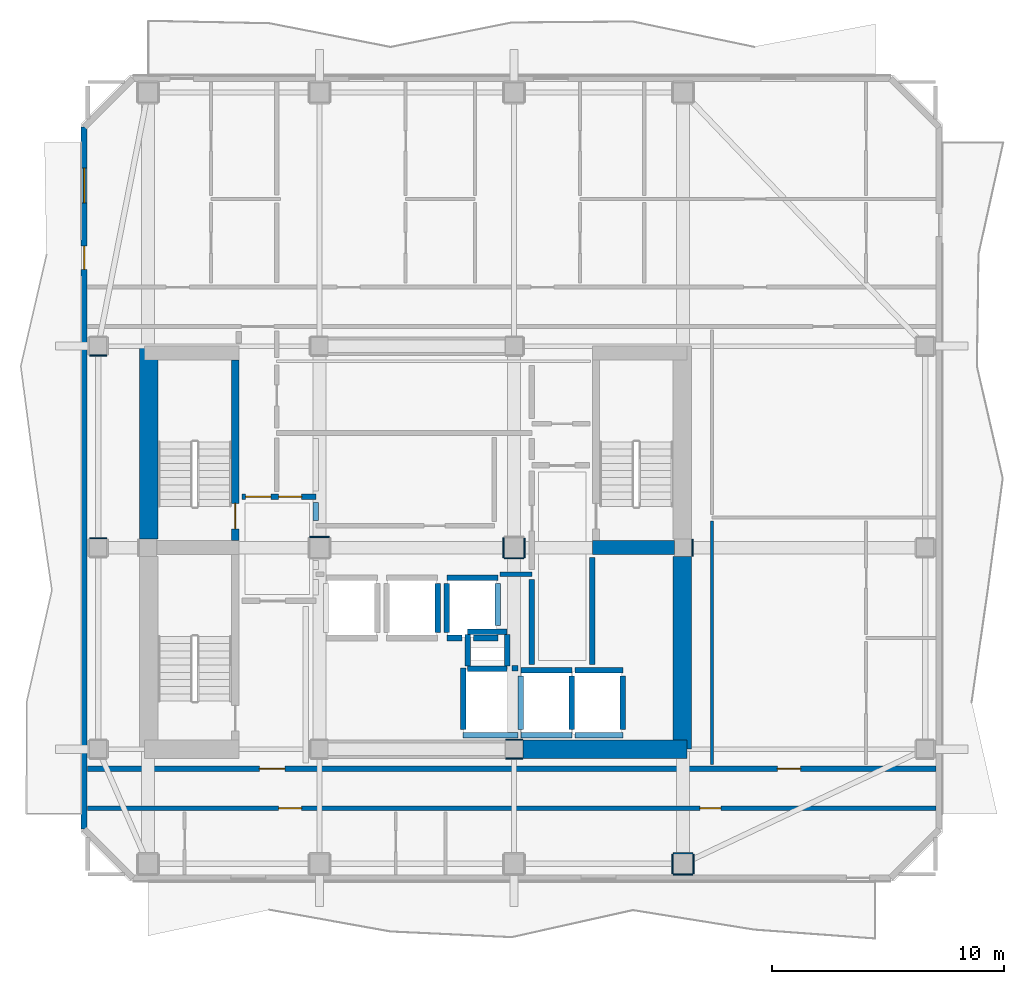
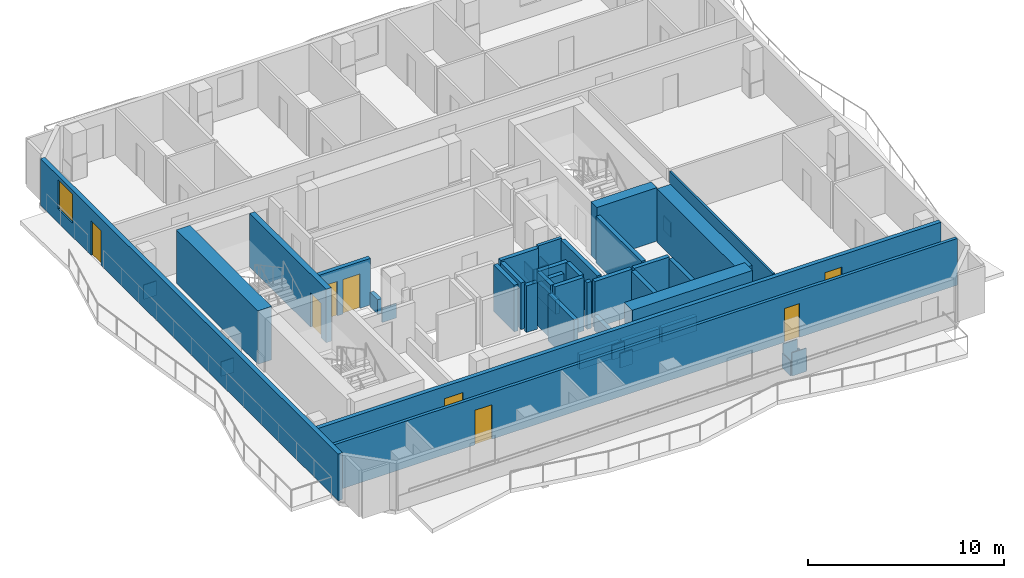
# One storey, part 3 of 9: 47 walls, 8 doors, 1 window, 9 openings.
"""IFC4 building model written with IfcOpenShell, lengths in metres."""

from ifc_helpers import new_model, si_unit, direction, frame, frame_2d, origin, place, context, subcontext, project, spatial, rectangle, extrude, material, layer, layer_set, type_object, element, fill, save


model = new_model("IFC4")

# Units and contexts
model_context = context("Model", 3, precision=1e-05, world=origin(), true_north=direction((0.0, 1.0)))
body_context = subcontext(model_context, "Body", "Model", "MODEL_VIEW")
ifc_project = project(units=[si_unit("LENGTHUNIT", "METRE"), si_unit("AREAUNIT", "SQUARE_METRE"), si_unit("VOLUMEUNIT", "CUBIC_METRE"), si_unit("PLANEANGLEUNIT", "RADIAN"), si_unit("MASSUNIT", "GRAM", prefix="KILO")], contexts=[model_context])

# Site, building, storey
site_placement = place(None, origin())
site = spatial("IfcSite", under=ifc_project, at=site_placement, CompositionType="ELEMENT")
building_placement = place(site_placement, origin())
building = spatial("IfcBuilding", under=site, at=building_placement, Name="Solanera Arch Residences", CompositionType="ELEMENT")
storey_placement = place(building_placement, frame((0.0, 0.0, 247.8798828125)))
storey = spatial("IfcBuildingStorey", under=building, at=storey_placement, Name="L72", CompositionType="ELEMENT", Elevation=247.8798828125)

# Walls
ifc_material_1 = material(Name="Fire-Rated Gypsum Stud Partition", Category="gypsum")
ifc_layer_1 = layer(ifc_material_1, 0.06005859375)
ifc_layer_set_1 = layer_set([ifc_layer_1], Name="Fire-Rated Gypsum Stud Partition")
wall_type_1 = type_object("IfcWallType", Name="Column Acoustic Furring Wall 60", PredefinedType="PARTITIONING", material=ifc_layer_set_1)
for number, where, z_axis, x_axis, name in (
    (1, (28.8330078125, 21.593017578125, 0.0), (0.0, 0.0, 1.0), (1.0, 0.0, 0.0), "L72 Column Furring 2S"),
    (2, (28.8330078125, 22.406982421875, 0.0), (0.0, 0.0, 1.0), (1.0, 0.0, 0.0), "L72 Column Furring 2N"),
):
    element("IfcWall", number, at=place(storey_placement, frame(where, z_axis=z_axis, x_axis=x_axis)), inside=storey, type_object=wall_type_1, Name=name, PredefinedType="PARTITIONING", context=body_context, shape_type="SweptSolid", body=[
        extrude(rectangle(XDim=0.73388671875, YDim=0.06005859375, at=frame_2d((0.366943359375, 0.0))), origin(), (0.0, 0.0, 1.0), 0.905029296875),
    ])
wall_1_placement = place(storey_placement, frame((36.906982421875, 30.324951171875, 0.0), z_axis=(0.0, 0.0, 1.0), x_axis=(0.0, 1.0, 0.0)))
element("IfcWall", 3, at=wall_1_placement, inside=storey, type_object=wall_type_1, Name="L72 Column Furring 6E", PredefinedType="PARTITIONING", context=body_context, shape_type="SweptSolid", body=[
    extrude(rectangle(XDim=0.75, YDim=0.06005859375, at=frame_2d((0.375, 0.0))), origin(), (0.0, 0.0, 1.0), 0.905029296875),
])
for number, where, z_axis, x_axis, name in (
    (4, (20.375, 31.156982421875, 0.0), (0.0, 0.0, 1.0), (1.0, 0.0, 0.0), "L72 Column Furring 7N"),
    (5, (28.77490234375, 30.242919921875, 0.0), (0.0, 0.0, 1.0), (1.0, 0.0, 0.0), "L72 Column Furring 8S"),
    (6, (28.742919921875, 30.27490234375, 0.0), (0.0, 0.0, 1.0), (0.0, 1.0, 0.0), "L72 Column Furring 8W"),
):
    element("IfcWall", number, at=place(storey_placement, frame(where, z_axis=z_axis, x_axis=x_axis)), inside=storey, type_object=wall_type_1, Name=name, PredefinedType="PARTITIONING", context=body_context, shape_type="SweptSolid", body=[
        extrude(rectangle(XDim=0.85009765625, YDim=0.06005859375, at=frame_2d((0.425048828125, 0.0))), origin(), (0.0, 0.0, 1.0), 0.905029296875),
    ])
wall_2_placement = place(storey_placement, frame((29.656982421875, 30.27490234375, 0.0), z_axis=(0.0, 0.0, 1.0), x_axis=(0.0, 1.0, 0.0)))
element("IfcWall", 7, at=wall_2_placement, inside=storey, type_object=wall_type_1, Name="L72 Column Furring 8E", PredefinedType="PARTITIONING", context=body_context, shape_type="SweptSolid", body=[
    extrude(rectangle(XDim=0.837158203125, YDim=0.06005859375, at=frame_2d((0.41845703125, 0.0))), origin(), (0.0, 0.0, 1.0), 0.905029296875),
])
for number, where, z_axis, x_axis, name in (
    (8, (36.074951171875, 16.593017578125, 0.0), (0.0, 0.0, 1.0), (1.0, 0.0, 0.0), "L72 Column Furring 15S"),
    (9, (36.074951171875, 17.507080078125, 0.0), (0.0, 0.0, 1.0), (1.0, 0.0, 0.0), "L72 Column Furring 15N"),
):
    element("IfcWall", number, at=place(storey_placement, frame(where, z_axis=z_axis, x_axis=x_axis)), inside=storey, type_object=wall_type_1, Name=name, PredefinedType="PARTITIONING", context=body_context, shape_type="SweptSolid", body=[
        extrude(rectangle(XDim=0.85009765625, YDim=0.06005859375, at=frame_2d((0.425048828125, 0.0))), origin(), (0.0, 0.0, 1.0), 1.4501953125),
    ])
for number, where, z_axis, x_axis, name in (
    (10, (36.04296875, 16.625, 0.0), (0.0, 0.0, 1.0), (0.0, 1.0, 0.0), "L72 Column Furring 15W"),
    (11, (36.95703125, 16.625, 0.0), (0.0, 0.0, 1.0), (0.0, 1.0, 0.0), "L72 Column Furring 15E"),
):
    element("IfcWall", number, at=place(storey_placement, frame(where, z_axis=z_axis, x_axis=x_axis)), inside=storey, type_object=wall_type_1, Name=name, PredefinedType="PARTITIONING", context=body_context, shape_type="SweptSolid", body=[
        extrude(rectangle(XDim=0.85009765625, YDim=0.06005859375, at=frame_2d((0.425048828125, 0.0))), origin(), (0.0, 0.0, 1.0), 0.905029296875),
    ])
for number, where, z_axis, x_axis, name in (
    (12, (10.875, 31.10693359375, 0.0), (0.0, 0.0, 1.0), (1.0, 0.0, 0.0), "L72 Column Furring 19N"),
    (13, (10.875, 38.992919921875, 0.0), (0.0, 0.0, 1.0), (1.0, 0.0, 0.0), "L72 Column Furring 21S"),
):
    element("IfcWall", number, at=place(storey_placement, frame(where, z_axis=z_axis, x_axis=x_axis)), inside=storey, type_object=wall_type_1, Name=name, PredefinedType="PARTITIONING", context=body_context, shape_type="SweptSolid", body=[
        extrude(rectangle(XDim=0.75, YDim=0.06005859375, at=frame_2d((0.375, 0.0))), origin(), (0.0, 0.0, 1.0), 0.905029296875),
    ])

# Wall, opening, door
ifc_material_2 = material(Name="Concrete C40/50 (f'c = 45 MPa)", Category="concrete")
ifc_layer_2 = layer(ifc_material_2, 0.320068359375)
ifc_layer_set_2 = layer_set([ifc_layer_2], Name="Concrete C40/50 (f'c = 45 MPa)")
wall_type_2 = type_object("IfcWallType", Name="Core Shear Wall CW-320", PredefinedType="SHEAR", material=ifc_layer_set_2)
wall_3_placement = place(storey_placement, frame((17.159912109375, 31.0, 0.0), z_axis=(0.0, 0.0, 1.0), x_axis=(0.0, 1.0, 0.0)))
wall_3 = element("IfcWall", 14, at=wall_3_placement, inside=storey, type_object=wall_type_2, Name="L72 Stair ST-T1 East Shear Wall", PredefinedType="SHEAR", context=body_context, shape_type="SweptSolid", body=[
    extrude(rectangle(XDim=7.800048828125, YDim=0.320068359375, at=frame_2d((3.89990234375, 0.0))), origin(), (0.0, 0.0, 1.0), 3.320068359375),
])
opening_1_placement = place(wall_3_placement, frame((0.510009765625, 0.0, 0.0)))
opening_1 = element("IfcOpeningElement", 15, at=opening_1_placement, cuts=wall_3, Name="Opening DF-01", PredefinedType="OPENING", context=body_context, shape_type="SweptSolid", body=[
    extrude(rectangle(XDim=1.10009765625, YDim=2.14990234375, at=frame_2d((0.550048828125, 1.074951171875))), frame((0.0, 0.169921875, 0.0), z_axis=(0.0, -1.0, 0.0), x_axis=(1.0, 0.0, 0.0)), (0.0, 0.0, 1.0), 0.3401),
])
ifc_material_3 = material(Name="Fire-Rated Architectural Hardwood", Category="wood")
door_type_1 = type_object("IfcDoorType", Name="Stair Exit Fire Door DF-01", OperationType="NOTDEFINED", PredefinedType="DOOR", material=ifc_material_3)
door_1_placement = place(opening_1_placement, origin())
door_1 = element("IfcDoor", 16, at=door_1_placement, inside=storey, type_object=door_type_1, Name="DR-L72-STAIR-ST-T1", OperationType="SINGLE_SWING_LEFT", OverallHeight=2.14990234375, OverallWidth=1.10009765625, PredefinedType="DOOR", context=body_context, shape_type="SweptSolid", body=[
    extrude(rectangle(XDim=1.10009765625, YDim=2.14990234375, at=frame_2d((0.550048828125, 1.074951171875))), frame((0.0, 0.02490234375, 0.0), z_axis=(0.0, -1.0, 0.0), x_axis=(1.0, 0.0, 0.0)), (0.0, 0.0, 1.0), 0.050048828125),
])
fill(opening_1, door_1)

# Walls
ifc_material_4 = material(Name="Concrete C40/50 (f'c = 45 MPa)", Category="concrete")
ifc_layer_3 = layer(ifc_material_4, 0.60009765625)
ifc_layer_set_3 = layer_set([ifc_layer_3], Name="Concrete C40/50 (f'c = 45 MPa)")
wall_type_3 = type_object("IfcWallType", Name="Core Shear Wall CW-600", PredefinedType="SHEAR", material=ifc_layer_set_3)
wall_4_placement = place(storey_placement, frame((32.580078125, 30.699951171875, 0.0), z_axis=(0.0, 0.0, 1.0), x_axis=(1.0, 0.0, 0.0)))
element("IfcWall", 17, at=wall_4_placement, inside=storey, type_object=wall_type_3, Name="L72 East Stair Far-Landing Shear Wall", PredefinedType="SHEAR", context=body_context, shape_type="SweptSolid", body=[
    extrude(rectangle(XDim=3.5400390625, YDim=0.60009765625, at=frame_2d((1.77001953125, 0.0))), origin(), (0.0, 0.0, 1.0), 3.320068359375),
])
ifc_material_5 = material(Name="Concrete C40/50 (f'c = 45 MPa)", Category="concrete")
ifc_layer_4 = layer(ifc_material_5, 0.800048828125)
ifc_layer_set_4 = layer_set([ifc_layer_4], Name="Concrete C40/50 (f'c = 45 MPa)")
wall_type_4 = type_object("IfcWallType", Name="Core Shear Wall CW-800", PredefinedType="SHEAR", material=ifc_layer_set_4)
wall_5_placement = place(storey_placement, frame((13.43994140625, 31.080078125, 0.0), z_axis=(0.0, 0.0, 1.0), x_axis=(0.0, 1.0, 0.0)))
element("IfcWall", 18, at=wall_5_placement, inside=storey, type_object=wall_type_4, Name="L72 West Core North Shear Wall", PredefinedType="SHEAR", context=body_context, shape_type="SweptSolid", body=[
    extrude(rectangle(XDim=8.31982421875, YDim=0.800048828125, at=frame_2d((4.159912109375, 0.0))), origin(), (0.0, 0.0, 1.0), 3.320068359375),
])
wall_6_placement = place(storey_placement, frame((36.4599609375, 22.0, 0.0), z_axis=(0.0, 0.0, 1.0), x_axis=(0.0, 1.0, 0.0)))
element("IfcWall", 19, at=wall_6_placement, inside=storey, type_object=wall_type_4, Name="L72 East Core South Shear Wall", PredefinedType="SHEAR", context=body_context, shape_type="SweptSolid", body=[
    extrude(rectangle(XDim=8.320068359375, YDim=0.800048828125, at=frame_2d((4.16015625, 0.0))), origin(), (0.0, 0.0, 1.0), 3.320068359375),
])
wall_7_placement = place(storey_placement, frame((29.580078125, 22.0, 0.0), z_axis=(0.0, 0.0, 1.0), x_axis=(1.0, 0.0, 0.0)))
element("IfcWall", 20, at=wall_7_placement, inside=storey, type_object=wall_type_4, Name="L72 South-East Core Shear Wall", PredefinedType="SHEAR", context=body_context, shape_type="SweptSolid", body=[
    extrude(rectangle(XDim=7.079833984375, YDim=0.800048828125, at=frame_2d((3.5400390625, 0.0))), origin(), (0.0, 0.0, 1.0), 3.320068359375),
])

# Wall, openings, doors
ifc_material_6 = material(Name="Autoclaved Aerated Concrete Blockwork", Category="masonry")
ifc_layer_5 = layer(ifc_material_6, 0.179931640625)
ifc_layer_set_5 = layer_set([ifc_layer_5], Name="Autoclaved Aerated Concrete Blockwork")
wall_type_5 = type_object("IfcWallType", Name="Corridor Fire Partition 180", PredefinedType="PARTITIONING", material=ifc_layer_set_5)
wall_8_placement = place(storey_placement, frame((10.787109375, 19.449951171875, 0.0), z_axis=(0.0, 0.0, 1.0), x_axis=(1.0, 0.0, 0.0)))
wall_8 = element("IfcWall", 21, at=wall_8_placement, inside=storey, type_object=wall_type_5, Name="L72 Interior Partition H7", PredefinedType="PARTITIONING", context=body_context, shape_type="SweptSolid", body=[
    extrude(rectangle(XDim=36.6259765625, YDim=0.179931640625, at=frame_2d((18.31298828125, 0.0))), origin(), (0.0, 0.0, 1.0), 2.900146484375),
])
opening_2_placement = place(wall_8_placement, frame((8.2490234375, 0.0, 0.0)))
opening_2 = element("IfcOpeningElement", 22, at=opening_2_placement, cuts=wall_8, Name="Opening DI-01", PredefinedType="OPENING", context=body_context, shape_type="SweptSolid", body=[
    extrude(rectangle(XDim=1.0, YDim=2.14990234375, at=frame_2d((0.5, 1.074951171875))), frame((0.0, 0.10009765625, 0.0), z_axis=(0.0, -1.0, 0.0), x_axis=(1.0, 0.0, 0.0)), (0.0, 0.0, 1.0), 0.1999),
])
opening_3_placement = place(wall_8_placement, frame((26.43896484375, 0.0, 0.0)))
opening_3 = element("IfcOpeningElement", 23, at=opening_3_placement, cuts=wall_8, Name="Opening DI-02", PredefinedType="OPENING", context=body_context, shape_type="SweptSolid", body=[
    extrude(rectangle(XDim=0.89990234375, YDim=2.10009765625, at=frame_2d((0.449951171875, 1.050048828125))), frame((0.0, 0.10009765625, 0.0), z_axis=(0.0, -1.0, 0.0), x_axis=(1.0, 0.0, 0.0)), (0.0, 0.0, 1.0), 0.1999),
])
ifc_material_7 = material(Name="Fire-Rated Architectural Hardwood", Category="wood")
door_type_2 = type_object("IfcDoorType", Name="Suite Room Swing Door DI-02", OperationType="NOTDEFINED", PredefinedType="DOOR", material=ifc_material_7)
door_2_placement = place(opening_3_placement, origin())
door_2 = element("IfcDoor", 24, at=door_2_placement, inside=storey, type_object=door_type_2, Name="DR-L72-IN-017", OperationType="SINGLE_SWING_LEFT", OverallHeight=2.10009765625, OverallWidth=0.89990234375, PredefinedType="DOOR", context=body_context, shape_type="SweptSolid", body=[
    extrude(rectangle(XDim=0.89990234375, YDim=2.10009765625, at=frame_2d((0.449951171875, 1.050048828125))), frame((0.0, 0.02490234375, 0.0), z_axis=(0.0, -1.0, 0.0), x_axis=(1.0, 0.0, 0.0)), (0.0, 0.0, 1.0), 0.050048828125),
])
fill(opening_3, door_2)
ifc_material_8 = material(Name="Fire-Rated Architectural Hardwood", Category="wood")
door_type_3 = type_object("IfcDoorType", Name="Unit Entrance Fire Door DI-01", OperationType="NOTDEFINED", PredefinedType="DOOR", material=ifc_material_8)
door_3_placement = place(opening_2_placement, origin())
door_3 = element("IfcDoor", 25, at=door_3_placement, inside=storey, type_object=door_type_3, Name="DR-L72-IN-014", OperationType="SINGLE_SWING_RIGHT", OverallHeight=2.14990234375, OverallWidth=1.0, PredefinedType="DOOR", context=body_context, shape_type="SweptSolid", body=[
    extrude(rectangle(XDim=1.0, YDim=2.14990234375, at=frame_2d((0.5, 1.074951171875))), frame((0.0, 0.02490234375, 0.0), z_axis=(0.0, -1.0, 0.0), x_axis=(1.0, 0.0, 0.0)), (0.0, 0.0, 1.0), 0.050048828125),
])
fill(opening_2, door_3)

# Wall
wall_9_placement = place(storey_placement, frame((28.593017578125, 29.550048828125, 0.0), z_axis=(0.0, 0.0, 1.0), x_axis=(1.0, 0.0, 0.0)))
element("IfcWall", 26, at=wall_9_placement, inside=storey, type_object=wall_type_5, Name="L72 Interior Partition H8 2", PredefinedType="PARTITIONING", context=body_context, shape_type="SweptSolid", body=[
    extrude(rectangle(XDim=1.382080078125, YDim=0.179931640625, at=frame_2d((0.69091796875, 0.0))), origin(), (0.0, 0.0, 1.0), 2.900146484375),
])

# Wall, openings, door, window
ifc_material_9 = material(Name="Precast Concrete C35/45", Category="concrete")
ifc_layer_6 = layer(ifc_material_9, 0.260009765625)
ifc_layer_set_6 = layer_set([ifc_layer_6], Name="Precast Concrete C35/45")
wall_type_6 = type_object("IfcWallType", Name="Exterior Wall Precast Masonry-Frame 260", PredefinedType="STANDARD", material=ifc_layer_set_6)
wall_10_placement = place(storey_placement, frame((10.64501953125, 18.544921875, 0.0), z_axis=(0.0, 0.0, 1.0), x_axis=(0.0, 1.0, 0.0)))
wall_10 = element("IfcWall", 27, at=wall_10_placement, inside=storey, type_object=wall_type_6, Name="L72 Tower Exterior Precast Masonry-Frame Wall W", PredefinedType="STANDARD", context=body_context, shape_type="SweptSolid", body=[
    extrude(rectangle(XDim=30.31005859375, YDim=0.260009765625, at=frame_2d((15.155029296875, 0.0))), origin(), (0.0, 0.0, 1.0), 2.900146484375),
])
opening_4_placement = place(wall_10_placement, frame((24.1708984375, 0.0, 0.0)))
opening_4 = element("IfcOpeningElement", 28, at=opening_4_placement, cuts=wall_10, Name="Opening DB-01", PredefinedType="OPENING", context=body_context, shape_type="SweptSolid", body=[
    extrude(rectangle(XDim=1.0, YDim=2.14990234375, at=frame_2d((0.5, 1.074951171875))), frame((0.0, 0.139892578125, 0.0), z_axis=(0.0, -1.0, 0.0), x_axis=(1.0, 0.0, 0.0)), (0.0, 0.0, 1.0), 0.28),
])
opening_5_placement = place(wall_10_placement, frame((27.044921875, 0.0, 0.85009765625)))
opening_5 = element("IfcOpeningElement", 29, at=opening_5_placement, cuts=wall_10, Name="Opening W-02", PredefinedType="OPENING", context=body_context, shape_type="SweptSolid", body=[
    extrude(rectangle(XDim=1.5, YDim=1.800048828125, at=frame_2d((0.75, 0.89990234375))), frame((0.0, 0.139892578125, 0.0), z_axis=(0.0, -1.0, 0.0), x_axis=(1.0, 0.0, 0.0)), (0.0, 0.0, 1.0), 0.28),
])
ifc_material_10 = material(Name="Anodised Aluminium Alloy 6063-T6", Category="aluminium")
door_type_4 = type_object("IfcDoorType", Name="Glazed Balcony Swing Door DB-01", OperationType="NOTDEFINED", PredefinedType="DOOR", material=ifc_material_10)
door_4_placement = place(opening_4_placement, origin())
door_4 = element("IfcDoor", 30, at=door_4_placement, inside=storey, type_object=door_type_4, Name="DR-L72-OUT-04", OperationType="SINGLE_SWING_LEFT", OverallHeight=2.14990234375, OverallWidth=1.0, PredefinedType="DOOR", context=body_context, shape_type="SweptSolid", body=[
    extrude(rectangle(XDim=1.0, YDim=2.14990234375, at=frame_2d((0.5, 1.074951171875))), frame((0.0, 0.02490234375, 0.0), z_axis=(0.0, -1.0, 0.0), x_axis=(1.0, 0.0, 0.0)), (0.0, 0.0, 1.0), 0.050048828125),
])
fill(opening_4, door_4)
ifc_material_11 = material(Name="Double Glazed Low-E Laminated Glass", Category="glass")
window_type = type_object("IfcWindowType", Name="Punched Window W-02", PartitioningType="DOUBLE_PANEL_VERTICAL", PredefinedType="WINDOW", material=ifc_material_11)
window_placement = place(opening_5_placement, origin())
window = element("IfcWindow", 31, at=window_placement, inside=storey, type_object=window_type, Name="L72 7202-LIV Punched Window", OverallHeight=1.800048828125, OverallWidth=1.5, PartitioningType="SINGLE_PANEL", PredefinedType="WINDOW", context=body_context, shape_type="SweptSolid", body=[
    extrude(rectangle(XDim=1.5, YDim=1.800048828125, at=frame_2d((0.75, 0.89990234375))), frame((0.0, 0.030029296875, 0.0), z_axis=(0.0, -1.0, 0.0), x_axis=(1.0, 0.0, 0.0)), (0.0, 0.0, 1.0), 0.06005859375),
])
fill(opening_5, window)

# Walls
ifc_material_12 = material(Name="Concrete C40/50 (f'c = 45 MPa)", Category="concrete")
ifc_layer_7 = layer(ifc_material_12, 0.239990234375)
ifc_layer_set_7 = layer_set([ifc_layer_7], Name="Concrete C40/50 (f'c = 45 MPa)")
wall_type_7 = type_object("IfcWallType", Name="Ramp Bearing Shear Wall RW-240", PredefinedType="SHEAR", material=ifc_layer_set_7)
for number, where, z_axis, x_axis, name in (
    (32, (27.199951171875, 25.47998046875, 0.0), (0.0, 0.0, 1.0), (1.0, 0.0, 0.0), "L72 Core MEP Riser South Shaft Wall"),
    (33, (27.199951171875, 27.080078125, 0.0), (0.0, 0.0, 1.0), (1.0, 0.0, 0.0), "L72 Core MEP Riser North Shaft Wall"),
):
    element("IfcWall", number, at=place(storey_placement, frame(where, z_axis=z_axis, x_axis=x_axis)), inside=storey, type_object=wall_type_7, Name=name, PredefinedType="SHEAR", context=body_context, shape_type="SweptSolid", body=[
        extrude(rectangle(XDim=1.699951171875, YDim=0.239990234375, at=frame_2d((0.85009765625, 0.0))), origin(), (0.0, 0.0, 1.0), 3.320068359375),
    ])
for number, where, z_axis, x_axis, name in (
    (34, (27.199951171875, 25.60009765625, 0.0), (0.0, 0.0, 1.0), (0.0, 1.0, 0.0), "L72 Core MEP Riser West Shaft Wall"),
    (35, (28.89990234375, 25.60009765625, 0.0), (0.0, 0.0, 1.0), (0.0, 1.0, 0.0), "L72 Core MEP Riser East Shaft Wall"),
):
    element("IfcWall", number, at=place(storey_placement, frame(where, z_axis=z_axis, x_axis=x_axis)), inside=storey, type_object=wall_type_7, Name=name, PredefinedType="SHEAR", context=body_context, shape_type="SweptSolid", body=[
        extrude(rectangle(XDim=1.35986328125, YDim=0.239990234375, at=frame_2d((0.679931640625, 0.0))), origin(), (0.0, 0.0, 1.0), 3.320068359375),
    ])
ifc_material_13 = material(Name="Autoclaved Aerated Concrete Blockwork", Category="masonry")
ifc_layer_8 = layer(ifc_material_13, 0.239990234375)
ifc_layer_set_8 = layer_set([ifc_layer_8], Name="Autoclaved Aerated Concrete Blockwork")
wall_type_8 = type_object("IfcWallType", Name="Shaft Wall Fire-Rated 240", PredefinedType="PARTITIONING", material=ifc_layer_set_8)
wall_11_placement = place(storey_placement, frame((25.89990234375, 27.048095703125, 0.0), z_axis=(0.0, 0.0, 1.0), x_axis=(0.0, 1.0, 0.0)))
element("IfcWall", 36, at=wall_11_placement, inside=storey, type_object=wall_type_8, Name="L72 Lift PL-H2 Hoistway Wall E", PredefinedType="PARTITIONING", context=body_context, shape_type="SweptSolid", body=[
    extrude(rectangle(XDim=2.10400390625, YDim=0.239990234375, at=frame_2d((1.052001953125, 0.0))), origin(), (0.0, 0.0, 1.0), 2.900146484375),
])
wall_12_placement = place(storey_placement, frame((26.300048828125, 26.800048828125, 0.0), z_axis=(0.0, 0.0, 1.0), x_axis=(1.0, 0.0, 0.0)))
element("IfcWall", 37, at=wall_12_placement, inside=storey, type_object=wall_type_8, Name="L72 Lift PL-H3 Hoistway Wall S 1", PredefinedType="PARTITIONING", context=body_context, shape_type="SweptSolid", body=[
    extrude(rectangle(XDim=0.64990234375, YDim=0.239990234375, at=frame_2d((0.324951171875, 0.0))), origin(), (0.0, 0.0, 1.0), 2.900146484375),
])
wall_13_placement = place(storey_placement, frame((27.449951171875, 26.800048828125, 0.0), z_axis=(0.0, 0.0, 1.0), x_axis=(1.0, 0.0, 0.0)))
element("IfcWall", 38, at=wall_13_placement, inside=storey, type_object=wall_type_8, Name="L72 Lift PL-H3 Hoistway Wall S 2", PredefinedType="PARTITIONING", context=body_context, shape_type="SweptSolid", body=[
    extrude(rectangle(XDim=1.050048828125, YDim=0.239990234375, at=frame_2d((0.52490234375, 0.0))), origin(), (0.0, 0.0, 1.0), 2.900146484375),
])
wall_14_placement = place(storey_placement, frame((26.300048828125, 29.39990234375, 0.0), z_axis=(0.0, 0.0, 1.0), x_axis=(1.0, 0.0, 0.0)))
element("IfcWall", 39, at=wall_14_placement, inside=storey, type_object=wall_type_8, Name="L72 Lift PL-H3 Hoistway Wall N", PredefinedType="PARTITIONING", context=body_context, shape_type="SweptSolid", body=[
    extrude(rectangle(XDim=2.199951171875, YDim=0.239990234375, at=frame_2d((1.10009765625, 0.0))), origin(), (0.0, 0.0, 1.0), 2.900146484375),
])
wall_15_placement = place(storey_placement, frame((26.300048828125, 27.048095703125, 0.0), z_axis=(0.0, 0.0, 1.0), x_axis=(0.0, 1.0, 0.0)))
element("IfcWall", 40, at=wall_15_placement, inside=storey, type_object=wall_type_8, Name="L72 Lift PL-H3 Hoistway Wall W", PredefinedType="PARTITIONING", context=body_context, shape_type="SweptSolid", body=[
    extrude(rectangle(XDim=2.10400390625, YDim=0.239990234375, at=frame_2d((1.052001953125, 0.0))), origin(), (0.0, 0.0, 1.0), 2.900146484375),
])
wall_16_placement = place(storey_placement, frame((28.5, 27.330078125, 0.0), z_axis=(0.0, 0.0, 1.0), x_axis=(0.0, 1.0, 0.0)))
element("IfcWall", 41, at=wall_16_placement, inside=storey, type_object=wall_type_8, Name="L72 Lift PL-H3 Hoistway Wall E", PredefinedType="PARTITIONING", context=body_context, shape_type="SweptSolid", body=[
    extrude(rectangle(XDim=1.822021484375, YDim=0.239990234375, at=frame_2d((0.9111328125, 0.0))), origin(), (0.0, 0.0, 1.0), 0.905029296875),
])
wall_17_placement = place(storey_placement, frame((29.5, 22.60009765625, 0.0), z_axis=(0.0, 0.0, 1.0), x_axis=(1.0, 0.0, 0.0)))
element("IfcWall", 42, at=wall_17_placement, inside=storey, type_object=wall_type_8, Name="L72 Lift FFL-1 Hoistway Wall S", PredefinedType="PARTITIONING", context=body_context, shape_type="SweptSolid", body=[
    extrude(rectangle(XDim=2.199951171875, YDim=0.239990234375, at=frame_2d((1.10009765625, 0.0))), origin(), (0.0, 0.0, 1.0), 0.905029296875),
])
wall_18_placement = place(storey_placement, frame((29.5, 25.39990234375, 0.0), z_axis=(0.0, 0.0, 1.0), x_axis=(1.0, 0.0, 0.0)))
element("IfcWall", 43, at=wall_18_placement, inside=storey, type_object=wall_type_8, Name="L72 Lift FFL-1 Hoistway Wall N", PredefinedType="PARTITIONING", context=body_context, shape_type="SweptSolid", body=[
    extrude(rectangle(XDim=2.199951171875, YDim=0.239990234375, at=frame_2d((1.10009765625, 0.0))), origin(), (0.0, 0.0, 1.0), 2.900146484375),
])
wall_19_placement = place(storey_placement, frame((29.5, 22.847900390625, 0.0), z_axis=(0.0, 0.0, 1.0), x_axis=(0.0, 1.0, 0.0)))
element("IfcWall", 44, at=wall_19_placement, inside=storey, type_object=wall_type_8, Name="L72 Lift FFL-1 Hoistway Wall W", PredefinedType="PARTITIONING", context=body_context, shape_type="SweptSolid", body=[
    extrude(rectangle(XDim=2.30419921875, YDim=0.239990234375, at=frame_2d((1.152099609375, 0.0))), origin(), (0.0, 0.0, 1.0), 0.905029296875),
])
wall_20_placement = place(storey_placement, frame((31.699951171875, 22.847900390625, 0.0), z_axis=(0.0, 0.0, 1.0), x_axis=(0.0, 1.0, 0.0)))
element("IfcWall", 45, at=wall_20_placement, inside=storey, type_object=wall_type_8, Name="L72 Lift FFL-1 Hoistway Wall E", PredefinedType="PARTITIONING", context=body_context, shape_type="SweptSolid", body=[
    extrude(rectangle(XDim=2.30419921875, YDim=0.239990234375, at=frame_2d((1.152099609375, 0.0))), origin(), (0.0, 0.0, 1.0), 2.900146484375),
])
wall_21_placement = place(storey_placement, frame((31.827880859375, 22.60009765625, 0.0), z_axis=(0.0, 0.0, 1.0), x_axis=(1.0, 0.0, 0.0)))
element("IfcWall", 46, at=wall_21_placement, inside=storey, type_object=wall_type_8, Name="L72 Lift FFL-2 Hoistway Wall S", PredefinedType="PARTITIONING", context=body_context, shape_type="SweptSolid", body=[
    extrude(rectangle(XDim=2.072021484375, YDim=0.239990234375, at=frame_2d((1.0361328125, 0.0))), origin(), (0.0, 0.0, 1.0), 0.905029296875),
])
wall_22_placement = place(storey_placement, frame((31.827880859375, 25.39990234375, 0.0), z_axis=(0.0, 0.0, 1.0), x_axis=(1.0, 0.0, 0.0)))
element("IfcWall", 47, at=wall_22_placement, inside=storey, type_object=wall_type_8, Name="L72 Lift FFL-2 Hoistway Wall N", PredefinedType="PARTITIONING", context=body_context, shape_type="SweptSolid", body=[
    extrude(rectangle(XDim=2.072021484375, YDim=0.239990234375, at=frame_2d((1.0361328125, 0.0))), origin(), (0.0, 0.0, 1.0), 2.900146484375),
])
wall_23_placement = place(storey_placement, frame((33.89990234375, 22.847900390625, 0.0), z_axis=(0.0, 0.0, 1.0), x_axis=(0.0, 1.0, 0.0)))
element("IfcWall", 48, at=wall_23_placement, inside=storey, type_object=wall_type_8, Name="L72 Lift FFL-2 Hoistway Wall E", PredefinedType="PARTITIONING", context=body_context, shape_type="SweptSolid", body=[
    extrude(rectangle(XDim=2.30419921875, YDim=0.239990234375, at=frame_2d((1.152099609375, 0.0))), origin(), (0.0, 0.0, 1.0), 2.900146484375),
])
wall_24_placement = place(storey_placement, frame((27.0, 22.60009765625, 0.0), z_axis=(0.0, 0.0, 1.0), x_axis=(1.0, 0.0, 0.0)))
element("IfcWall", 49, at=wall_24_placement, inside=storey, type_object=wall_type_8, Name="L72 Lift SVL-1 Hoistway Wall S", PredefinedType="PARTITIONING", context=body_context, shape_type="SweptSolid", body=[
    extrude(rectangle(XDim=2.3720703125, YDim=0.239990234375, at=frame_2d((1.18603515625, 0.0))), origin(), (0.0, 0.0, 1.0), 0.905029296875),
])
wall_25_placement = place(storey_placement, frame((29.10302734375, 25.5, 0.0), z_axis=(0.0, 0.0, 1.0), x_axis=(1.0, 0.0, 0.0)))
element("IfcWall", 50, at=wall_25_placement, inside=storey, type_object=wall_type_8, Name="L72 Lift SVL-1 Hoistway Wall N", PredefinedType="PARTITIONING", context=body_context, shape_type="SweptSolid", body=[
    extrude(rectangle(XDim=0.26904296875, YDim=0.239990234375, at=frame_2d((0.134521484375, 0.0))), origin(), (0.0, 0.0, 1.0), 2.900146484375),
])
wall_26_placement = place(storey_placement, frame((27.0, 22.847900390625, 0.0), z_axis=(0.0, 0.0, 1.0), x_axis=(0.0, 1.0, 0.0)))
element("IfcWall", 51, at=wall_26_placement, inside=storey, type_object=wall_type_8, Name="L72 Lift SVL-1 Hoistway Wall W", PredefinedType="PARTITIONING", context=body_context, shape_type="SweptSolid", body=[
    extrude(rectangle(XDim=2.650146484375, YDim=0.239990234375, at=frame_2d((1.3251953125, 0.0))), origin(), (0.0, 0.0, 1.0), 2.900146484375),
])

# Wall, openings, doors
wall_27_placement = place(storey_placement, frame((10.787109375, 21.14990234375, 0.0), z_axis=(0.0, 0.0, 1.0), x_axis=(1.0, 0.0, 0.0)))
wall_27 = element("IfcWall", 52, at=wall_27_placement, inside=storey, type_object=wall_type_8, Name="L72 Interior Partition H1", PredefinedType="PARTITIONING", context=body_context, shape_type="SweptSolid", body=[
    extrude(rectangle(XDim=36.6259765625, YDim=0.239990234375, at=frame_2d((18.31298828125, 0.0))), origin(), (0.0, 0.0, 1.0), 2.900146484375),
])
opening_6_placement = place(wall_27_placement, frame((7.423095703125, 0.0, 0.0)))
opening_6 = element("IfcOpeningElement", 53, at=opening_6_placement, cuts=wall_27, Name="Opening DF-02", PredefinedType="OPENING", context=body_context, shape_type="SweptSolid", body=[
    extrude(rectangle(XDim=1.10009765625, YDim=2.14990234375, at=frame_2d((0.550048828125, 1.074951171875))), frame((0.0, 0.1298828125, 0.0), z_axis=(0.0, -1.0, 0.0), x_axis=(1.0, 0.0, 0.0)), (0.0, 0.0, 1.0), 0.26),
])
opening_7_placement = place(wall_27_placement, frame((29.7880859375, 0.0, 0.0)))
opening_7 = element("IfcOpeningElement", 54, at=opening_7_placement, cuts=wall_27, Name="Opening DI-01", PredefinedType="OPENING", context=body_context, shape_type="SweptSolid", body=[
    extrude(rectangle(XDim=1.0, YDim=2.14990234375, at=frame_2d((0.5, 1.074951171875))), frame((0.0, 0.1298828125, 0.0), z_axis=(0.0, -1.0, 0.0), x_axis=(1.0, 0.0, 0.0)), (0.0, 0.0, 1.0), 0.26),
])
ifc_material_14 = material(Name="Fire-Rated Architectural Hardwood", Category="wood")
door_type_5 = type_object("IfcDoorType", Name="Firefighting Lobby Fire Door DF-02", OperationType="NOTDEFINED", PredefinedType="DOOR", material=ifc_material_14)
door_5_placement = place(opening_6_placement, origin())
door_5 = element("IfcDoor", 55, at=door_5_placement, inside=storey, type_object=door_type_5, Name="DR-L72-IN-008", OperationType="SINGLE_SWING_RIGHT", OverallHeight=2.14990234375, OverallWidth=1.10009765625, PredefinedType="DOOR", context=body_context, shape_type="SweptSolid", body=[
    extrude(rectangle(XDim=1.10009765625, YDim=2.14990234375, at=frame_2d((0.550048828125, 1.074951171875))), frame((0.0, 0.02490234375, 0.0), z_axis=(0.0, -1.0, 0.0), x_axis=(1.0, 0.0, 0.0)), (0.0, 0.0, 1.0), 0.050048828125),
])
fill(opening_6, door_5)
door_6_placement = place(opening_7_placement, origin())
door_6 = element("IfcDoor", 56, at=door_6_placement, inside=storey, type_object=door_type_3, Name="DR-L72-IN-031", OperationType="SINGLE_SWING_LEFT", OverallHeight=2.14990234375, OverallWidth=1.0, PredefinedType="DOOR", context=body_context, shape_type="SweptSolid", body=[
    extrude(rectangle(XDim=1.0, YDim=2.14990234375, at=frame_2d((0.5, 1.074951171875))), frame((0.0, 0.02490234375, 0.0), z_axis=(0.0, -1.0, 0.0), x_axis=(1.0, 0.0, 0.0)), (0.0, 0.0, 1.0), 0.050048828125),
])
fill(opening_7, door_6)

wall_28_placement = place(storey_placement, frame((17.449951171875, 32.89990234375, 0.0), z_axis=(0.0, 0.0, 1.0), x_axis=(1.0, 0.0, 0.0)))
wall_28 = element("IfcWall", 57, at=wall_28_placement, inside=storey, type_object=wall_type_8, Name="L72 Interior Partition H4", PredefinedType="PARTITIONING", context=body_context, shape_type="SweptSolid", body=[
    extrude(rectangle(XDim=3.199951171875, YDim=0.239990234375, at=frame_2d((1.60009765625, 0.0))), origin(), (0.0, 0.0, 1.0), 2.900146484375),
])
opening_8_placement = place(wall_28_placement, frame((0.158935546875, 0.0, 0.0)))
opening_8 = element("IfcOpeningElement", 58, at=opening_8_placement, cuts=wall_28, Name="Opening DF-02", PredefinedType="OPENING", context=body_context, shape_type="SweptSolid", body=[
    extrude(rectangle(XDim=1.10009765625, YDim=2.14990234375, at=frame_2d((0.550048828125, 1.074951171875))), frame((0.0, 0.1298828125, 0.0), z_axis=(0.0, -1.0, 0.0), x_axis=(1.0, 0.0, 0.0)), (0.0, 0.0, 1.0), 0.26),
])
opening_9_placement = place(wall_28_placement, frame((1.5859375, 0.0, 0.0)))
opening_9 = element("IfcOpeningElement", 59, at=opening_9_placement, cuts=wall_28, Name="Opening DI-01", PredefinedType="OPENING", context=body_context, shape_type="SweptSolid", body=[
    extrude(rectangle(XDim=1.0, YDim=2.14990234375, at=frame_2d((0.5, 1.074951171875))), frame((0.0, 0.1298828125, 0.0), z_axis=(0.0, -1.0, 0.0), x_axis=(1.0, 0.0, 0.0)), (0.0, 0.0, 1.0), 0.26),
])
door_7_placement = place(opening_8_placement, origin())
door_7 = element("IfcDoor", 60, at=door_7_placement, inside=storey, type_object=door_type_5, Name="DR-L72-IN-005", OperationType="SINGLE_SWING_LEFT", OverallHeight=2.14990234375, OverallWidth=1.10009765625, PredefinedType="DOOR", context=body_context, shape_type="SweptSolid", body=[
    extrude(rectangle(XDim=1.10009765625, YDim=2.14990234375, at=frame_2d((0.550048828125, 1.074951171875))), frame((0.0, 0.02490234375, 0.0), z_axis=(0.0, -1.0, 0.0), x_axis=(1.0, 0.0, 0.0)), (0.0, 0.0, 1.0), 0.050048828125),
])
fill(opening_8, door_7)
door_8_placement = place(opening_9_placement, origin())
door_8 = element("IfcDoor", 61, at=door_8_placement, inside=storey, type_object=door_type_3, Name="DR-L72-IN-010", OperationType="SINGLE_SWING_RIGHT", OverallHeight=2.14990234375, OverallWidth=1.0, PredefinedType="DOOR", context=body_context, shape_type="SweptSolid", body=[
    extrude(rectangle(XDim=1.0, YDim=2.14990234375, at=frame_2d((0.5, 1.074951171875))), frame((0.0, 0.02490234375, 0.0), z_axis=(0.0, -1.0, 0.0), x_axis=(1.0, 0.0, 0.0)), (0.0, 0.0, 1.0), 0.050048828125),
])
fill(opening_9, door_8)

# Walls
wall_29_placement = place(storey_placement, frame((20.64990234375, 31.867919921875, 0.0), z_axis=(0.0, 0.0, 1.0), x_axis=(0.0, 1.0, 0.0)))
element("IfcWall", 62, at=wall_29_placement, inside=storey, type_object=wall_type_8, Name="L72 Interior Partition V3 3", PredefinedType="PARTITIONING", context=body_context, shape_type="SweptSolid", body=[
    extrude(rectangle(XDim=0.7841796875, YDim=0.239990234375, at=frame_2d((0.39208984375, 0.0))), origin(), (0.0, 0.0, 1.0), 0.905029296875),
])
wall_30_placement = place(storey_placement, frame((29.97509765625, 25.64794921875, 0.0), z_axis=(0.0, 0.0, 1.0), x_axis=(0.0, 1.0, 0.0)))
element("IfcWall", 63, at=wall_30_placement, inside=storey, type_object=wall_type_8, Name="L72 Interior Partition V4 1", PredefinedType="PARTITIONING", context=body_context, shape_type="SweptSolid", body=[
    extrude(rectangle(XDim=3.68408203125, YDim=0.239990234375, at=frame_2d((1.842041015625, 0.0))), origin(), (0.0, 0.0, 1.0), 2.900146484375),
])
wall_31_placement = place(storey_placement, frame((32.580078125, 25.64794921875, 0.0), z_axis=(0.0, 0.0, 1.0), x_axis=(0.0, 1.0, 0.0)))
element("IfcWall", 64, at=wall_31_placement, inside=storey, type_object=wall_type_8, Name="L72 Interior Partition V5", PredefinedType="PARTITIONING", context=body_context, shape_type="SweptSolid", body=[
    extrude(rectangle(XDim=4.6220703125, YDim=0.239990234375, at=frame_2d((2.31103515625, 0.0))), origin(), (0.0, 0.0, 1.0), 2.900146484375),
])
ifc_material_15 = material(Name="Fire-Rated Gypsum Stud Partition", Category="gypsum")
ifc_layer_9 = layer(ifc_material_15, 0.1201171875)
ifc_layer_set_9 = layer_set([ifc_layer_9], Name="Fire-Rated Gypsum Stud Partition")
wall_type_9 = type_object("IfcWallType", Name="Unit Drywall Partition 120", PredefinedType="PARTITIONING", material=ifc_layer_set_9)
wall_32_placement = place(storey_placement, frame((37.75, 21.337890625, 0.0), z_axis=(0.0, 0.0, 1.0), x_axis=(0.0, 1.0, 0.0)))
element("IfcWall", 65, at=wall_32_placement, inside=storey, type_object=wall_type_9, Name="L72 Interior Partition V22 1", PredefinedType="PARTITIONING", context=body_context, shape_type="SweptSolid", body=[
    extrude(rectangle(XDim=10.524169921875, YDim=0.1201171875, at=frame_2d((5.26220703125, 0.0))), origin(), (0.0, 0.0, 1.0), 2.900146484375),
])

save(model, "model.ifc")
